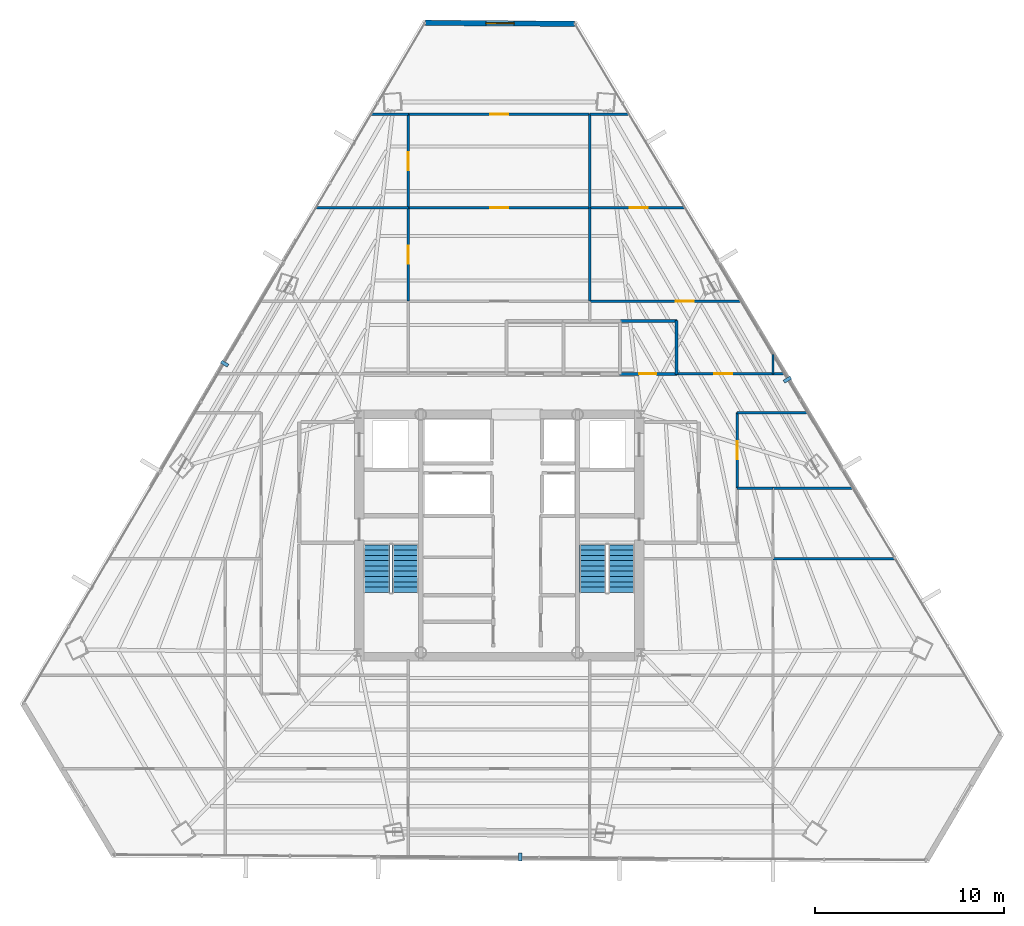
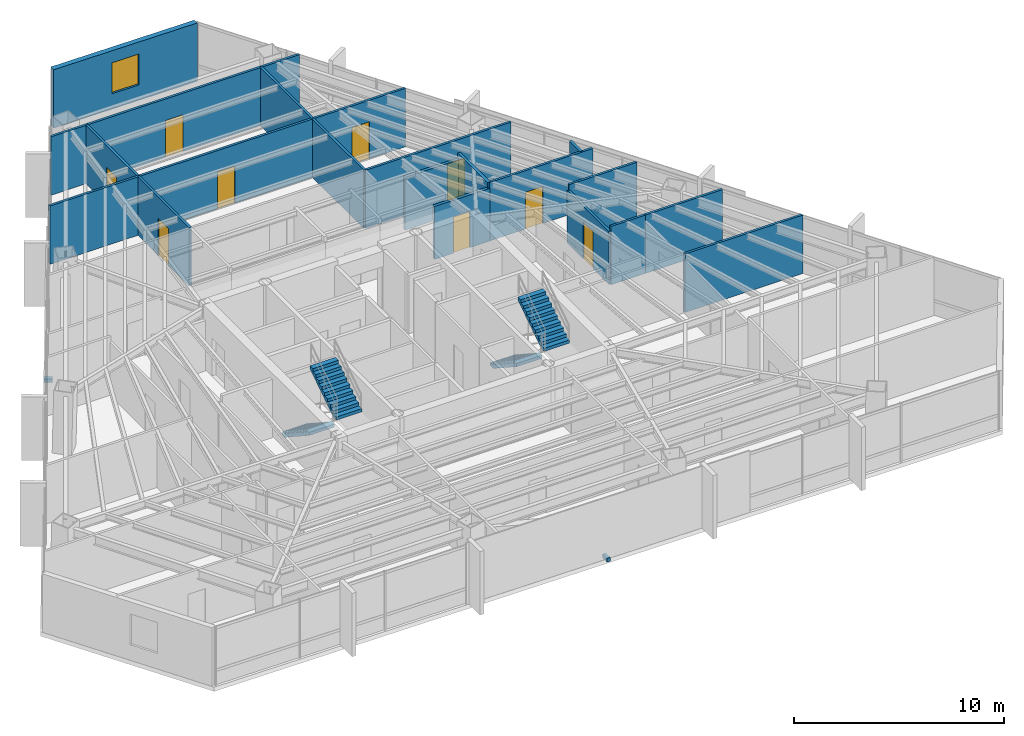
# One storey, part 38 of 41: 22 walls, 9 doors, 4 stair flights, 3 discrete accessories, 1 window, 10 openings, 2 elements without a shape of their own.
"""IFC4 building model written with IfcOpenShell, lengths in metres."""

from ifc_helpers import new_model, si_unit, direction, frame, frame_2d, origin, origin_2d, place, context, subcontext, project, spatial, polyline, rectangle, outline, extrude, source, transform, mapped, material, layer, layer_set, type_object, type_shapes, element, fill, aggregate, save


model = new_model("IFC4")

# Units and contexts
model_context = context("Model", 3, precision=1e-05, world=origin(), true_north=direction((0.0, 1.0)))
body_context = subcontext(model_context, "Body", "Model", "MODEL_VIEW")
ifc_project = project(units=[si_unit("LENGTHUNIT", "METRE"), si_unit("AREAUNIT", "SQUARE_METRE"), si_unit("VOLUMEUNIT", "CUBIC_METRE"), si_unit("PLANEANGLEUNIT", "RADIAN"), si_unit("MASSUNIT", "GRAM", prefix="KILO")], contexts=[model_context])

# Site, building, storey
site_placement = place(None, origin())
site = spatial("IfcSite", under=ifc_project, at=site_placement, CompositionType="ELEMENT")
building_placement = place(site_placement, origin())
building = spatial("IfcBuilding", under=site, at=building_placement, Name="Caelisora Broadcast Tower", CompositionType="ELEMENT")
storey_placement = place(building_placement, frame((0.0, 0.0, 180.39990234375)))
storey = spatial("IfcBuildingStorey", under=building, at=storey_placement, Name="L47", CompositionType="ELEMENT", Elevation=180.39990234375)

# Wall, opening, window
ifc_material_1 = material(Name="Insulated Terracotta Spandrel Wall System", Category="masonry")
ifc_layer_1 = layer(ifc_material_1, 0.280029296875, Name="Insulated Terracotta Spandrel Wall System")
ifc_layer_set_1 = layer_set([ifc_layer_1], Name="Insulated Terracotta Spandrel Wall System")
wall_type_1 = type_object("IfcWallType", Name="EW1", PredefinedType="STANDARD", material=ifc_layer_set_1)
wall_1_placement = place(storey_placement, frame((34.10791015625, 50.73291015625, 0.0), z_axis=(0.0, 0.0, 1.0), x_axis=(0.999978419741, -0.00656963107, 0.0)))
wall_1 = element("IfcWall", 1, at=wall_1_placement, inside=storey, type_object=wall_type_1, Name="L47 exterior envelope wall EW1", PredefinedType="STANDARD", context=body_context, shape_type="SweptSolid", body=[
    extrude(rectangle(XDim=7.87841796875, YDim=0.280029296875, at=frame_2d((3.939208984375, 0.0))), origin(), (0.0, 0.0, 1.0), 3.400146484375),
])
opening_1_placement = place(wall_1_placement, frame((3.18994140625, 0.0, 0.89990234375)))
opening_1 = element("IfcOpeningElement", 2, at=opening_1_placement, cuts=wall_1, Name="Opening W02", PredefinedType="OPENING", context=body_context, shape_type="SweptSolid", body=[
    extrude(rectangle(XDim=1.5, YDim=1.800048828125, at=frame_2d((0.75, 0.89990234375))), frame((0.0, 0.152099609375, 0.0), z_axis=(0.0, -1.0, 0.0), x_axis=(1.0, 0.0, 0.0)), (0.0, 0.0, 1.0), 0.303955078125),
])
ifc_material_2 = material(Name="Double Glazed Terracotta-Framed Vision Window", Category="glass")
window_type = type_object("IfcWindowType", Name="W02", PartitioningType="SINGLE_PANEL", PredefinedType="WINDOW", material=ifc_material_2)
window_placement = place(opening_1_placement, origin())
window = element("IfcWindow", 3, at=window_placement, inside=storey, type_object=window_type, Name="L47 window W02 (L47-WN-CH8)", OverallHeight=1.800048828125, OverallWidth=1.5, PartitioningType="SINGLE_PANEL", PredefinedType="WINDOW", context=body_context, shape_type="SweptSolid", body=[
    extrude(rectangle(XDim=1.5, YDim=1.800048828125, at=frame_2d((0.75, 0.89990234375))), frame((0.0, 0.030029296875, 0.0), z_axis=(0.0, -1.0, 0.0), x_axis=(1.0, 0.0, 0.0)), (0.0, 0.0, 1.0), 0.06005859375),
])
fill(opening_1, window)

# Wall, opening, door
ifc_material_3 = material(Name="Acoustic Steel-Stud Plasterboard Partition", Category="gypsum")
ifc_layer_2 = layer(ifc_material_3, 0.1298828125, Name="Acoustic Steel-Stud Plasterboard Partition")
ifc_layer_set_2 = layer_set([ifc_layer_2], Name="Acoustic Steel-Stud Plasterboard Partition")
wall_type_2 = type_object("IfcWallType", Name="PW3", PredefinedType="PARTITIONING", material=ifc_layer_set_2)
wall_2_placement = place(storey_placement, frame((33.205078125, 45.889892578125, 0.0), z_axis=(0.0, 0.0, 1.0), x_axis=(1.0, 0.0, 0.0)))
wall_2 = element("IfcWall", 4, at=wall_2_placement, inside=storey, type_object=wall_type_2, Name="L47 internal partition PW3", PredefinedType="PARTITIONING", context=body_context, shape_type="SweptSolid", body=[
    extrude(rectangle(XDim=9.58984375, YDim=0.1298828125, at=frame_2d((4.794921875, 0.0))), origin(), (0.0, 0.0, 1.0), 3.400146484375),
])
opening_2_placement = place(wall_2_placement, frame((4.31494140625, 0.0, 0.0)))
opening_2 = element("IfcOpeningElement", 5, at=opening_2_placement, cuts=wall_2, Name="Opening D01", PredefinedType="OPENING", context=body_context, shape_type="SweptSolid", body=[
    extrude(rectangle(XDim=0.9599609375, YDim=2.14990234375, at=frame_2d((0.47998046875, 1.074951171875))), frame((0.0, 0.076904296875, 0.0), z_axis=(0.0, -1.0, 0.0), x_axis=(1.0, 0.0, 0.0)), (0.0, 0.0, 1.0), 0.15380859375),
])
ifc_material_4 = material(Name="Solid-Core Timber Acoustic Office Door", Category="wood")
door_type_1 = type_object("IfcDoorType", Name="D01", OperationType="NOTDEFINED", PredefinedType="DOOR", material=ifc_material_4)
door_1_placement = place(opening_2_placement, origin())
door_1 = element("IfcDoor", 6, at=door_1_placement, inside=storey, type_object=door_type_1, Name="L47 door D01 (L47-DR-P37D1)", OperationType="SINGLE_SWING_LEFT", OverallHeight=2.14990234375, OverallWidth=0.9599609375, PredefinedType="DOOR", context=body_context, shape_type="SweptSolid", body=[
    extrude(rectangle(XDim=0.9599609375, YDim=2.14990234375, at=frame_2d((0.47998046875, 1.074951171875))), frame((0.0, 0.02490234375, 0.0), z_axis=(0.0, -1.0, 0.0), x_axis=(1.0, 0.0, 0.0)), (0.0, 0.0, 1.0), 0.050048828125),
])
fill(opening_2, door_1)

wall_3_placement = place(storey_placement, frame((33.205078125, 40.93994140625, 0.0), z_axis=(0.0, 0.0, 1.0), x_axis=(1.0, 0.0, 0.0)))
wall_3 = element("IfcWall", 7, at=wall_3_placement, inside=storey, type_object=wall_type_2, Name="L47 internal partition PW3", PredefinedType="PARTITIONING", context=body_context, shape_type="SweptSolid", body=[
    extrude(rectangle(XDim=9.58984375, YDim=0.1298828125, at=frame_2d((4.794921875, 0.0))), origin(), (0.0, 0.0, 1.0), 3.400146484375),
])
opening_3_placement = place(wall_3_placement, frame((4.31494140625, 0.0, 0.0)))
opening_3 = element("IfcOpeningElement", 8, at=opening_3_placement, cuts=wall_3, Name="Opening D01", PredefinedType="OPENING", context=body_context, shape_type="SweptSolid", body=[
    extrude(rectangle(XDim=0.9599609375, YDim=2.14990234375, at=frame_2d((0.47998046875, 1.074951171875))), frame((0.0, 0.076904296875, 0.0), z_axis=(0.0, -1.0, 0.0), x_axis=(1.0, 0.0, 0.0)), (0.0, 0.0, 1.0), 0.15380859375),
])
door_2_placement = place(opening_3_placement, origin())
door_2 = element("IfcDoor", 9, at=door_2_placement, inside=storey, type_object=door_type_1, Name="L47 door D01 (L47-DR-P38D1)", OperationType="SINGLE_SWING_RIGHT", OverallHeight=2.14990234375, OverallWidth=0.9599609375, PredefinedType="DOOR", context=body_context, shape_type="SweptSolid", body=[
    extrude(rectangle(XDim=0.9599609375, YDim=2.14990234375, at=frame_2d((0.47998046875, 1.074951171875))), frame((0.0, 0.02490234375, 0.0), z_axis=(0.0, -1.0, 0.0), x_axis=(1.0, 0.0, 0.0)), (0.0, 0.0, 1.0), 0.050048828125),
])
fill(opening_3, door_2)

wall_4_placement = place(storey_placement, frame((42.804931640625, 35.989990234375, 0.0), z_axis=(0.0, 0.0, 1.0), x_axis=(1.0, 0.0, 0.0)))
wall_4 = element("IfcWall", 10, at=wall_4_placement, inside=storey, type_object=wall_type_2, Name="L47 internal partition PW3", PredefinedType="PARTITIONING", context=body_context, shape_type="SweptSolid", body=[
    extrude(rectangle(XDim=8.01513671875, YDim=0.1298828125, at=frame_2d((4.007568359375, 0.0))), origin(), (0.0, 0.0, 1.0), 3.400146484375),
])
opening_4_placement = place(wall_4_placement, frame((4.5400390625, 0.0, 0.0)))
opening_4 = element("IfcOpeningElement", 11, at=opening_4_placement, cuts=wall_4, Name="Opening D01", PredefinedType="OPENING", context=body_context, shape_type="SweptSolid", body=[
    extrude(rectangle(XDim=0.9599609375, YDim=2.14990234375, at=frame_2d((0.47998046875, 1.074951171875))), frame((0.0, 0.076904296875, 0.0), z_axis=(0.0, -1.0, 0.0), x_axis=(1.0, 0.0, 0.0)), (0.0, 0.0, 1.0), 0.15380859375),
])
door_3_placement = place(opening_4_placement, origin())
door_3 = element("IfcDoor", 12, at=door_3_placement, inside=storey, type_object=door_type_1, Name="L47 door D01 (L47-DR-P42D1)", OperationType="SINGLE_SWING_LEFT", OverallHeight=2.14990234375, OverallWidth=0.9599609375, PredefinedType="DOOR", context=body_context, shape_type="SweptSolid", body=[
    extrude(rectangle(XDim=0.9599609375, YDim=2.14990234375, at=frame_2d((0.47998046875, 1.074951171875))), frame((0.0, 0.02490234375, 0.0), z_axis=(0.0, -1.0, 0.0), x_axis=(1.0, 0.0, 0.0)), (0.0, 0.0, 1.0), 0.050048828125),
])
fill(opening_4, door_3)

# Wall
wall_5_placement = place(storey_placement, frame((52.5048828125, 22.35009765625, 0.0), z_axis=(0.0, 0.0, 1.0), x_axis=(1.0, 0.0, 0.0)))
element("IfcWall", 13, at=wall_5_placement, inside=storey, type_object=wall_type_2, Name="L47 internal partition PW3", PredefinedType="PARTITIONING", context=body_context, shape_type="SweptSolid", body=[
    extrude(rectangle(XDim=6.484619140625, YDim=0.1298828125, at=frame_2d((3.2421875, 0.0))), origin(), (0.0, 0.0, 1.0), 3.400146484375),
])

# Wall, opening, door
wall_6_placement = place(storey_placement, frame((42.804931640625, 40.93994140625, 0.0), z_axis=(0.0, 0.0, 1.0), x_axis=(1.0, 0.0, 0.0)))
wall_6 = element("IfcWall", 14, at=wall_6_placement, inside=storey, type_object=wall_type_2, Name="L47 internal partition PW3", PredefinedType="PARTITIONING", context=body_context, shape_type="SweptSolid", body=[
    extrude(rectangle(XDim=5.050537109375, YDim=0.1298828125, at=frame_2d((2.525390625, 0.0))), origin(), (0.0, 0.0, 1.0), 3.400146484375),
])
opening_5_placement = place(wall_6_placement, frame((2.10205078125, 0.0, 0.0)))
opening_5 = element("IfcOpeningElement", 15, at=opening_5_placement, cuts=wall_6, Name="Opening D01", PredefinedType="OPENING", context=body_context, shape_type="SweptSolid", body=[
    extrude(rectangle(XDim=0.9599609375, YDim=2.14990234375, at=frame_2d((0.47998046875, 1.074951171875))), frame((0.0, 0.076904296875, 0.0), z_axis=(0.0, -1.0, 0.0), x_axis=(1.0, 0.0, 0.0)), (0.0, 0.0, 1.0), 0.15380859375),
])
door_4_placement = place(opening_5_placement, origin())
door_4 = element("IfcDoor", 16, at=door_4_placement, inside=storey, type_object=door_type_1, Name="L47 door D01 (L47-DR-P54D1)", OperationType="SINGLE_SWING_RIGHT", OverallHeight=2.14990234375, OverallWidth=0.9599609375, PredefinedType="DOOR", context=body_context, shape_type="SweptSolid", body=[
    extrude(rectangle(XDim=0.9599609375, YDim=2.14990234375, at=frame_2d((0.47998046875, 1.074951171875))), frame((0.0, 0.02490234375, 0.0), z_axis=(0.0, -1.0, 0.0), x_axis=(1.0, 0.0, 0.0)), (0.0, 0.0, 1.0), 0.050048828125),
])
fill(opening_5, door_4)

wall_7_placement = place(storey_placement, frame((47.405029296875, 32.14990234375, 0.0), z_axis=(0.0, 0.0, 1.0), x_axis=(1.0, 0.0, 0.0)))
wall_7 = element("IfcWall", 17, at=wall_7_placement, inside=storey, type_object=wall_type_2, Name="L47 internal partition PW3", PredefinedType="PARTITIONING", context=body_context, shape_type="SweptSolid", body=[
    extrude(rectangle(XDim=5.689208984375, YDim=0.1298828125, at=frame_2d((2.8447265625, 0.0))), origin(), (0.0, 0.0, 1.0), 3.400146484375),
])
opening_6_placement = place(wall_7_placement, frame((1.97998046875, 0.0, 0.0)))
opening_6 = element("IfcOpeningElement", 18, at=opening_6_placement, cuts=wall_7, Name="Opening D01", PredefinedType="OPENING", context=body_context, shape_type="SweptSolid", body=[
    extrude(rectangle(XDim=0.9599609375, YDim=2.14990234375, at=frame_2d((0.47998046875, 1.074951171875))), frame((0.0, 0.076904296875, 0.0), z_axis=(0.0, -1.0, 0.0), x_axis=(1.0, 0.0, 0.0)), (0.0, 0.0, 1.0), 0.15380859375),
])
door_5_placement = place(opening_6_placement, origin())
door_5 = element("IfcDoor", 19, at=door_5_placement, inside=storey, type_object=door_type_1, Name="L47 door D01 (L47-DR-P55D1)", OperationType="SINGLE_SWING_LEFT", OverallHeight=2.14990234375, OverallWidth=0.9599609375, PredefinedType="DOOR", context=body_context, shape_type="SweptSolid", body=[
    extrude(rectangle(XDim=0.9599609375, YDim=2.14990234375, at=frame_2d((0.47998046875, 1.074951171875))), frame((0.0, 0.02490234375, 0.0), z_axis=(0.0, -1.0, 0.0), x_axis=(1.0, 0.0, 0.0)), (0.0, 0.0, 1.0), 0.050048828125),
])
fill(opening_6, door_5)

# Walls
wall_8_placement = place(storey_placement, frame((28.29541015625, 40.93994140625, 0.0), z_axis=(0.0, 0.0, 1.0), x_axis=(1.0, 0.0, 0.0)))
element("IfcWall", 20, at=wall_8_placement, inside=storey, type_object=wall_type_2, Name="L47 internal partition PW3", PredefinedType="PARTITIONING", context=body_context, shape_type="SweptSolid", body=[
    extrude(rectangle(XDim=4.899658203125, YDim=0.1298828125, at=frame_2d((2.44970703125, 0.0))), origin(), (0.0, 0.0, 1.0), 3.400146484375),
])
wall_9_placement = place(storey_placement, frame((42.800048828125, 40.945068359375, 0.0), z_axis=(0.0, 0.0, 1.0), x_axis=(0.0, 1.0, 0.0)))
element("IfcWall", 21, at=wall_9_placement, inside=storey, type_object=wall_type_2, Name="L47 internal partition PW3", PredefinedType="PARTITIONING", context=body_context, shape_type="SweptSolid", body=[
    extrude(rectangle(XDim=4.93994140625, YDim=0.1298828125, at=frame_2d((2.469970703125, 0.0))), origin(), (0.0, 0.0, 1.0), 3.400146484375),
])

# Wall, opening, door
wall_10_placement = place(storey_placement, frame((33.199951171875, 40.945068359375, 0.0), z_axis=(0.0, 0.0, 1.0), x_axis=(0.0, 1.0, 0.0)))
wall_10 = element("IfcWall", 22, at=wall_10_placement, inside=storey, type_object=wall_type_2, Name="L47 internal partition PW3", PredefinedType="PARTITIONING", context=body_context, shape_type="SweptSolid", body=[
    extrude(rectangle(XDim=4.93994140625, YDim=0.1298828125, at=frame_2d((2.469970703125, 0.0))), origin(), (0.0, 0.0, 1.0), 3.400146484375),
])
opening_7_placement = place(wall_10_placement, frame((1.989990234375, 0.0, 0.0)))
opening_7 = element("IfcOpeningElement", 23, at=opening_7_placement, cuts=wall_10, Name="Opening D01", PredefinedType="OPENING", context=body_context, shape_type="SweptSolid", body=[
    extrude(rectangle(XDim=0.9599609375, YDim=2.14990234375, at=frame_2d((0.47998046875, 1.074951171875))), frame((0.0, 0.076904296875, 0.0), z_axis=(0.0, -1.0, 0.0), x_axis=(1.0, 0.0, 0.0)), (0.0, 0.0, 1.0), 0.15380859375),
])
door_6_placement = place(opening_7_placement, origin())
door_6 = element("IfcDoor", 24, at=door_6_placement, inside=storey, type_object=door_type_1, Name="L47 door D01 (L47-DR-P58D1)", OperationType="SINGLE_SWING_RIGHT", OverallHeight=2.14990234375, OverallWidth=0.9599609375, PredefinedType="DOOR", context=body_context, shape_type="SweptSolid", body=[
    extrude(rectangle(XDim=0.9599609375, YDim=2.14990234375, at=frame_2d((0.47998046875, 1.074951171875))), frame((0.0, 0.02490234375, 0.0), z_axis=(0.0, -1.0, 0.0), x_axis=(1.0, 0.0, 0.0)), (0.0, 0.0, 1.0), 0.050048828125),
])
fill(opening_7, door_6)

# Wall
wall_11_placement = place(storey_placement, frame((42.800048828125, 35.9951171875, 0.0), z_axis=(0.0, 0.0, 1.0), x_axis=(0.0, 1.0, 0.0)))
element("IfcWall", 25, at=wall_11_placement, inside=storey, type_object=wall_type_2, Name="L47 internal partition PW3", PredefinedType="PARTITIONING", context=body_context, shape_type="SweptSolid", body=[
    extrude(rectangle(XDim=4.93994140625, YDim=0.1298828125, at=frame_2d((2.469970703125, 0.0))), origin(), (0.0, 0.0, 1.0), 3.400146484375),
])

# Wall, opening, door
wall_12_placement = place(storey_placement, frame((33.199951171875, 35.9951171875, 0.0), z_axis=(0.0, 0.0, 1.0), x_axis=(0.0, 1.0, 0.0)))
wall_12 = element("IfcWall", 26, at=wall_12_placement, inside=storey, type_object=wall_type_2, Name="L47 internal partition PW3", PredefinedType="PARTITIONING", context=body_context, shape_type="SweptSolid", body=[
    extrude(rectangle(XDim=4.93994140625, YDim=0.1298828125, at=frame_2d((2.469970703125, 0.0))), origin(), (0.0, 0.0, 1.0), 3.400146484375),
])
opening_8_placement = place(wall_12_placement, frame((1.989990234375, 0.0, 0.0)))
opening_8 = element("IfcOpeningElement", 27, at=opening_8_placement, cuts=wall_12, Name="Opening D01", PredefinedType="OPENING", context=body_context, shape_type="SweptSolid", body=[
    extrude(rectangle(XDim=0.9599609375, YDim=2.14990234375, at=frame_2d((0.47998046875, 1.074951171875))), frame((0.0, 0.076904296875, 0.0), z_axis=(0.0, -1.0, 0.0), x_axis=(1.0, 0.0, 0.0)), (0.0, 0.0, 1.0), 0.15380859375),
])
door_7_placement = place(opening_8_placement, origin())
door_7 = element("IfcDoor", 28, at=door_7_placement, inside=storey, type_object=door_type_1, Name="L47 door D01 (L47-DR-P64D1)", OperationType="SINGLE_SWING_LEFT", OverallHeight=2.14990234375, OverallWidth=0.9599609375, PredefinedType="DOOR", context=body_context, shape_type="SweptSolid", body=[
    extrude(rectangle(XDim=0.9599609375, YDim=2.14990234375, at=frame_2d((0.47998046875, 1.074951171875))), frame((0.0, 0.02490234375, 0.0), z_axis=(0.0, -1.0, 0.0), x_axis=(1.0, 0.0, 0.0)), (0.0, 0.0, 1.0), 0.050048828125),
])
fill(opening_8, door_7)

# Wall
wall_13_placement = place(storey_placement, frame((52.5048828125, 26.10009765625, 0.0), z_axis=(0.0, 0.0, 1.0), x_axis=(1.0, 0.0, 0.0)))
element("IfcWall", 29, at=wall_13_placement, inside=storey, type_object=wall_type_2, Name="L47 internal partition PW3", PredefinedType="PARTITIONING", context=body_context, shape_type="SweptSolid", body=[
    extrude(rectangle(XDim=4.238525390625, YDim=0.1298828125, at=frame_2d((2.119140625, 0.0))), origin(), (0.0, 0.0, 1.0), 3.400146484375),
])

# Wall, opening, door
wall_14_placement = place(storey_placement, frame((50.60009765625, 26.10498046875, 0.0), z_axis=(0.0, 0.0, 1.0), x_axis=(0.0, 1.0, 0.0)))
wall_14 = element("IfcWall", 30, at=wall_14_placement, inside=storey, type_object=wall_type_2, Name="L47 internal partition PW3", PredefinedType="PARTITIONING", context=body_context, shape_type="SweptSolid", body=[
    extrude(rectangle(XDim=3.989990234375, YDim=0.1298828125, at=frame_2d((1.9951171875, 0.0))), origin(), (0.0, 0.0, 1.0), 3.077880859375),
])
opening_9_placement = place(wall_14_placement, frame((1.514892578125, 0.0, 0.0)))
opening_9 = element("IfcOpeningElement", 31, at=opening_9_placement, cuts=wall_14, Name="Opening D01", PredefinedType="OPENING", context=body_context, shape_type="SweptSolid", body=[
    extrude(rectangle(XDim=0.9599609375, YDim=2.14990234375, at=frame_2d((0.47998046875, 1.074951171875))), frame((0.0, 0.076904296875, 0.0), z_axis=(0.0, -1.0, 0.0), x_axis=(1.0, 0.0, 0.0)), (0.0, 0.0, 1.0), 0.15380859375),
])
door_8_placement = place(opening_9_placement, origin())
door_8 = element("IfcDoor", 32, at=door_8_placement, inside=storey, type_object=door_type_1, Name="L47 door D01 (L47-DR-P70D1)", OperationType="SINGLE_SWING_LEFT", OverallHeight=2.14990234375, OverallWidth=0.9599609375, PredefinedType="DOOR", context=body_context, shape_type="SweptSolid", body=[
    extrude(rectangle(XDim=0.9599609375, YDim=2.14990234375, at=frame_2d((0.47998046875, 1.074951171875))), frame((0.0, 0.02490234375, 0.0), z_axis=(0.0, -1.0, 0.0), x_axis=(1.0, 0.0, 0.0)), (0.0, 0.0, 1.0), 0.050048828125),
])
fill(opening_9, door_8)

# Walls
wall_15_placement = place(storey_placement, frame((50.60498046875, 30.10009765625, 0.0), z_axis=(0.0, 0.0, 1.0), x_axis=(1.0, 0.0, 0.0)))
element("IfcWall", 33, at=wall_15_placement, inside=storey, type_object=wall_type_2, Name="L47 internal partition PW3", PredefinedType="PARTITIONING", context=body_context, shape_type="SweptSolid", body=[
    extrude(rectangle(XDim=3.742919921875, YDim=0.1298828125, at=frame_2d((1.87158203125, 0.0))), origin(), (0.0, 0.0, 1.0), 3.400146484375),
])
wall_16_placement = place(storey_placement, frame((42.804931640625, 45.889892578125, 0.0), z_axis=(0.0, 0.0, 1.0), x_axis=(1.0, 0.0, 0.0)))
element("IfcWall", 34, at=wall_16_placement, inside=storey, type_object=wall_type_2, Name="L47 internal partition PW3", PredefinedType="PARTITIONING", context=body_context, shape_type="SweptSolid", body=[
    extrude(rectangle(XDim=2.085693359375, YDim=0.1298828125, at=frame_2d((1.04296875, 0.0))), origin(), (0.0, 0.0, 1.0), 3.400146484375),
])
wall_17_placement = place(storey_placement, frame((31.21533203125, 45.889892578125, 0.0), z_axis=(0.0, 0.0, 1.0), x_axis=(1.0, 0.0, 0.0)))
element("IfcWall", 35, at=wall_17_placement, inside=storey, type_object=wall_type_2, Name="L47 internal partition PW3", PredefinedType="PARTITIONING", context=body_context, shape_type="SweptSolid", body=[
    extrude(rectangle(XDim=1.979736328125, YDim=0.1298828125, at=frame_2d((0.98974609375, 0.0))), origin(), (0.0, 0.0, 1.0), 3.400146484375),
])
wall_18_placement = place(storey_placement, frame((50.60498046875, 26.10009765625, 0.0), z_axis=(0.0, 0.0, 1.0), x_axis=(1.0, 0.0, 0.0)))
element("IfcWall", 36, at=wall_18_placement, inside=storey, type_object=wall_type_2, Name="L47 internal partition PW3", PredefinedType="PARTITIONING", context=body_context, shape_type="SweptSolid", body=[
    extrude(rectangle(XDim=1.89013671875, YDim=0.1298828125, at=frame_2d((0.945068359375, 0.0))), origin(), (0.0, 0.0, 1.0), 3.400146484375),
])
wall_19_placement = place(storey_placement, frame((52.5, 32.155029296875, 0.0), z_axis=(0.0, 0.0, 1.0), x_axis=(0.0, 1.0, 0.0)))
element("IfcWall", 37, at=wall_19_placement, inside=storey, type_object=wall_type_2, Name="L47 internal partition PW3", PredefinedType="PARTITIONING", context=body_context, shape_type="SweptSolid", body=[
    extrude(rectangle(XDim=1.0302734375, YDim=0.1298828125, at=frame_2d((0.51513671875, 0.0))), origin(), (0.0, 0.0, 1.0), 3.400146484375),
])

# Wall, opening, door
ifc_material_5 = material(Name="Moisture-Resistant Wet Plumbing Service Wall", Category="gypsum")
ifc_layer_3 = layer(ifc_material_5, 0.159912109375, Name="Moisture-Resistant Wet Plumbing Service Wall")
ifc_layer_set_3 = layer_set([ifc_layer_3], Name="Moisture-Resistant Wet Plumbing Service Wall")
wall_type_3 = type_object("IfcWallType", Name="PW4", PredefinedType="PLUMBINGWALL", material=ifc_layer_set_3)
wall_20_placement = place(storey_placement, frame((44.375, 32.14990234375, 0.0), z_axis=(0.0, 0.0, 1.0), x_axis=(1.0, 0.0, 0.0)))
wall_20 = element("IfcWall", 38, at=wall_20_placement, inside=storey, type_object=wall_type_3, Name="L47 wet plumbing wall PW4", PredefinedType="PLUMBINGWALL", context=body_context, shape_type="SweptSolid", body=[
    extrude(rectangle(XDim=3.050048828125, YDim=0.159912109375, at=frame_2d((1.52490234375, 0.0))), origin(), (0.0, 0.0, 1.0), 3.077880859375),
])
opening_10_placement = place(wall_20_placement, frame((1.034912109375, 0.0, 0.0)))
opening_10 = element("IfcOpeningElement", 39, at=opening_10_placement, cuts=wall_20, Name="Opening D03", PredefinedType="OPENING", context=body_context, shape_type="SweptSolid", body=[
    extrude(rectangle(XDim=0.919921875, YDim=2.10009765625, at=frame_2d((0.4599609375, 1.050048828125))), frame((0.0, 0.092041015625, 0.0), z_axis=(0.0, -1.0, 0.0), x_axis=(1.0, 0.0, 0.0)), (0.0, 0.0, 1.0), 0.183837890625),
])
ifc_material_6 = material(Name="Laminate Moisture-Resistant Amenity WC Door", Category="wood")
door_type_2 = type_object("IfcDoorType", Name="D03", OperationType="NOTDEFINED", PredefinedType="DOOR", material=ifc_material_6)
door_9_placement = place(opening_10_placement, origin())
door_9 = element("IfcDoor", 40, at=door_9_placement, inside=storey, type_object=door_type_2, Name="L47 door D03 (L47-DR-P19D1)", OperationType="SINGLE_SWING_LEFT", OverallHeight=2.10009765625, OverallWidth=0.919921875, PredefinedType="DOOR", context=body_context, shape_type="SweptSolid", body=[
    extrude(rectangle(XDim=0.919921875, YDim=2.10009765625, at=frame_2d((0.4599609375, 1.050048828125))), frame((0.0, 0.02490234375, 0.0), z_axis=(0.0, -1.0, 0.0), x_axis=(1.0, 0.0, 0.0)), (0.0, 0.0, 1.0), 0.050048828125),
])
fill(opening_10, door_9)

# Walls
wall_21_placement = place(storey_placement, frame((47.425048828125, 34.949951171875, 0.0), z_axis=(0.0, 0.0, 1.0), x_axis=(-1.0, 0.0, 0.0)))
element("IfcWall", 41, at=wall_21_placement, inside=storey, type_object=wall_type_3, Name="L47 wet plumbing wall PW4", PredefinedType="PLUMBINGWALL", context=body_context, shape_type="SweptSolid", body=[
    extrude(rectangle(XDim=3.050048828125, YDim=0.159912109375, at=frame_2d((1.52490234375, 0.0))), origin(), (0.0, 0.0, 1.0), 3.077880859375),
])
wall_22_placement = place(storey_placement, frame((47.39990234375, 32.125, 0.0), z_axis=(0.0, 0.0, 1.0), x_axis=(0.0, 1.0, 0.0)))
element("IfcWall", 42, at=wall_22_placement, inside=storey, type_object=wall_type_3, Name="L47 wet plumbing wall PW4", PredefinedType="PLUMBINGWALL", context=body_context, shape_type="SweptSolid", body=[
    extrude(rectangle(XDim=2.85009765625, YDim=0.159912109375, at=frame_2d((1.425048828125, 0.0))), origin(), (0.0, 0.0, 1.0), 3.400146484375),
])

# Stair, stair flights
ifc_material_7 = material(Name="Concrete 40 MPa (AS 3600 N40)", Category="concrete")
stair_type_1 = type_object("IfcStairType", Name="ST-1", PredefinedType="HALF_TURN_STAIR", material=ifc_material_7)
stair_1_placement = place(storey_placement, origin())
stair_1 = element("IfcStair", 43, at=stair_1_placement, inside=storey, type_object=stair_type_1, Name="L47 West Fire-Isolated Tower Stair", PredefinedType="HALF_TURN_STAIR")
stair_flight_type = type_object("IfcStairFlightType", Name="STF-3", PredefinedType="STRAIGHT", material=ifc_material_7)
stair_flight_1_placement = place(storey_placement, frame((31.52001953125, 23.10009765625, 0.0), z_axis=(0.0, 0.0, 1.0), x_axis=(0.0, -1.0, 0.0)))
stair_flight_1 = element("IfcStairFlight", 44, at=stair_flight_1_placement, type_object=stair_flight_type, Name="ST-1 flight 1", NumberOfRisers=10, NumberOfTreads=9, PredefinedType="STRAIGHT", RiserHeight=0.1825, TreadLength=0.28, context=body_context, shape_type="SweptSolid", body=[
    extrude(outline(polyline([(0.0, 0.0), (0.0, 0.1826171875), (0.280029296875, 0.1826171875), (0.280029296875, 0.364990234375), (0.56005859375, 0.364990234375), (0.56005859375, 0.547607421875), (0.840087890625, 0.547607421875), (0.840087890625, 0.72998046875), (1.1201171875, 0.72998046875), (1.1201171875, 0.91259765625), (1.39990234375, 0.91259765625), (1.39990234375, 1.094970703125), (1.679931640625, 1.094970703125), (1.679931640625, 1.277587890625), (1.9599609375, 1.277587890625), (1.9599609375, 1.4599609375), (2.239990234375, 1.4599609375), (2.239990234375, 1.642578125), (2.52001953125, 1.642578125), (2.52001953125, 1.824951171875), (2.52001953125, 1.463623046875), (0.2744140625, 0.0), (0.0, 0.0)])), frame((0.0, 0.699951171875, 0.0), z_axis=(0.0, -1.0, 0.0), x_axis=(1.0, 0.0, 0.0)), (0.0, 0.0, 1.0), 1.39990234375),
])
stair_flight_2_placement = place(storey_placement, frame((33.0400390625, 20.580078125, 1.8251953125), z_axis=(0.0, 0.0, 1.0), x_axis=(0.0, 1.0, 0.0)))
stair_flight_2 = element("IfcStairFlight", 45, at=stair_flight_2_placement, type_object=stair_flight_type, Name="ST-1 flight 2", NumberOfRisers=10, NumberOfTreads=9, PredefinedType="STRAIGHT", RiserHeight=0.1825, TreadLength=0.28, context=body_context, shape_type="SweptSolid", body=[
    extrude(outline(polyline([(0.0, 0.0), (0.0, 0.1826171875), (0.280029296875, 0.1826171875), (0.280029296875, 0.364990234375), (0.56005859375, 0.364990234375), (0.56005859375, 0.547607421875), (0.840087890625, 0.547607421875), (0.840087890625, 0.72998046875), (1.1201171875, 0.72998046875), (1.1201171875, 0.91259765625), (1.39990234375, 0.91259765625), (1.39990234375, 1.094970703125), (1.679931640625, 1.094970703125), (1.679931640625, 1.277587890625), (1.9599609375, 1.277587890625), (1.9599609375, 1.4599609375), (2.239990234375, 1.4599609375), (2.239990234375, 1.642578125), (2.52001953125, 1.642578125), (2.52001953125, 1.824951171875), (2.52001953125, 1.463623046875), (0.2744140625, 0.0), (0.0, 0.0)])), frame((0.0, 0.699951171875, 0.0), z_axis=(0.0, -1.0, 0.0), x_axis=(1.0, 0.0, 0.0)), (0.0, 0.0, 1.0), 1.39990234375),
])
aggregate(stair_1, [stair_flight_1, stair_flight_2])

stair_type_2 = type_object("IfcStairType", Name="ST-2", PredefinedType="HALF_TURN_STAIR", material=ifc_material_7)
stair_2_placement = place(storey_placement, origin())
stair_2 = element("IfcStair", 46, at=stair_2_placement, inside=storey, type_object=stair_type_2, Name="L47 East Fire-Isolated Tower Stair", PredefinedType="HALF_TURN_STAIR")
stair_flight_3_placement = place(storey_placement, frame((42.9599609375, 23.10009765625, 0.0), z_axis=(0.0, 0.0, 1.0), x_axis=(0.0, -1.0, 0.0)))
stair_flight_3 = element("IfcStairFlight", 47, at=stair_flight_3_placement, type_object=stair_flight_type, Name="ST-2 flight 1", NumberOfRisers=10, NumberOfTreads=9, PredefinedType="STRAIGHT", RiserHeight=0.1825, TreadLength=0.28, context=body_context, shape_type="SweptSolid", body=[
    extrude(outline(polyline([(0.0, 0.0), (0.0, 0.1826171875), (0.280029296875, 0.1826171875), (0.280029296875, 0.364990234375), (0.56005859375, 0.364990234375), (0.56005859375, 0.547607421875), (0.840087890625, 0.547607421875), (0.840087890625, 0.72998046875), (1.1201171875, 0.72998046875), (1.1201171875, 0.91259765625), (1.39990234375, 0.91259765625), (1.39990234375, 1.094970703125), (1.679931640625, 1.094970703125), (1.679931640625, 1.277587890625), (1.9599609375, 1.277587890625), (1.9599609375, 1.4599609375), (2.239990234375, 1.4599609375), (2.239990234375, 1.642578125), (2.52001953125, 1.642578125), (2.52001953125, 1.824951171875), (2.52001953125, 1.463623046875), (0.2744140625, 0.0), (0.0, 0.0)])), frame((0.0, 0.699951171875, 0.0), z_axis=(0.0, -1.0, 0.0), x_axis=(1.0, 0.0, 0.0)), (0.0, 0.0, 1.0), 1.39990234375),
])
stair_flight_4_placement = place(storey_placement, frame((44.47998046875, 20.580078125, 1.8251953125), z_axis=(0.0, 0.0, 1.0), x_axis=(0.0, 1.0, 0.0)))
stair_flight_4 = element("IfcStairFlight", 48, at=stair_flight_4_placement, type_object=stair_flight_type, Name="ST-2 flight 2", NumberOfRisers=10, NumberOfTreads=9, PredefinedType="STRAIGHT", RiserHeight=0.1825, TreadLength=0.28, context=body_context, shape_type="SweptSolid", body=[
    extrude(outline(polyline([(0.0, 0.0), (0.0, 0.1826171875), (0.280029296875, 0.1826171875), (0.280029296875, 0.364990234375), (0.56005859375, 0.364990234375), (0.56005859375, 0.547607421875), (0.840087890625, 0.547607421875), (0.840087890625, 0.72998046875), (1.1201171875, 0.72998046875), (1.1201171875, 0.91259765625), (1.39990234375, 0.91259765625), (1.39990234375, 1.094970703125), (1.679931640625, 1.094970703125), (1.679931640625, 1.277587890625), (1.9599609375, 1.277587890625), (1.9599609375, 1.4599609375), (2.239990234375, 1.4599609375), (2.239990234375, 1.642578125), (2.52001953125, 1.642578125), (2.52001953125, 1.824951171875), (2.52001953125, 1.463623046875), (0.2744140625, 0.0), (0.0, 0.0)])), frame((0.0, 0.699951171875, 0.0), z_axis=(0.0, -1.0, 0.0), x_axis=(1.0, 0.0, 0.0)), (0.0, 0.0, 1.0), 1.39990234375),
])
aggregate(stair_2, [stair_flight_3, stair_flight_4])

# Discrete accessories
ifc_material_8 = material(Name="Steel Grade 350 (AS/NZS 3679.1)", Category="steel")
discrete_accessory_type = type_object("IfcDiscreteAccessoryType", Name="BRK-1", PredefinedType="BRACKET", material=ifc_material_8)
shared_shape = source(origin(), body_context, "Body", "SweptSolid", [
    extrude(rectangle(XDim=0.179931640625, YDim=0.419921875, at=origin_2d()), origin(), (0.0, 0.0, 1.0), 0.219970703125),
])
type_shapes(discrete_accessory_type, [shared_shape])
for number, where, z_axis, x_axis, name in (
    (49, (23.468505859375, 32.6884765625, -0.15966796875), (0.0, 0.0, 1.0), (-0.508139769859, -0.861274621876, 0.0), "L47 solar screen outrigger bracket #1"),
    (50, (39.11572265625, 6.577880859375, -0.15966796875), (0.0, 0.0, 1.0), (0.999978006703, -0.006632202536, 0.0), "L47 solar screen outrigger bracket #2"),
    (51, (53.26171875, 31.845458984375, -0.15966796875), (0.0, 0.0, 1.0), (-0.513840741921, 0.857885593737, 0.0), "L47 solar screen outrigger bracket #3"),
):
    element("IfcDiscreteAccessory", number, at=place(storey_placement, frame(where, z_axis=z_axis, x_axis=x_axis)), inside=storey, type_object=discrete_accessory_type, Name=name, PredefinedType="BRACKET", context=body_context, shape_type="MappedRepresentation", body=[
        mapped(shared_shape, transform((0.0, 0.0, 0.0), scale=1.0)),
    ])

save(model, "model.ifc")
